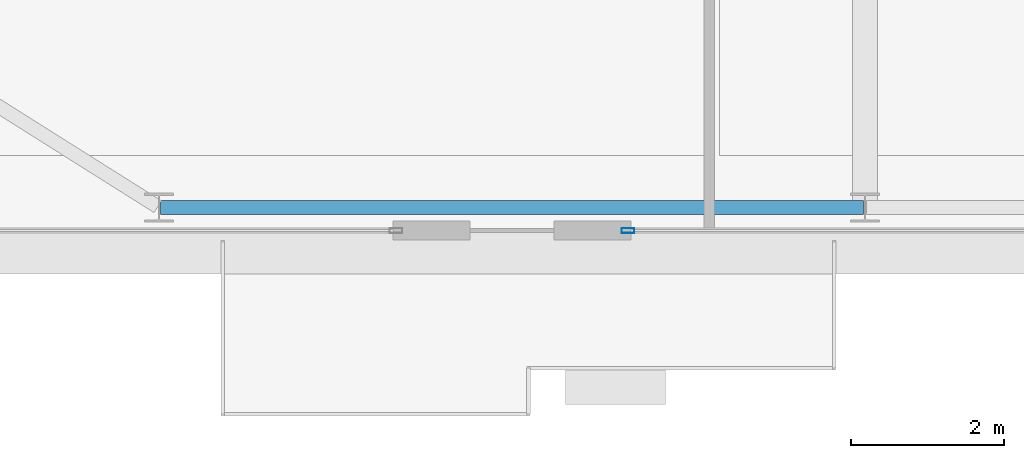
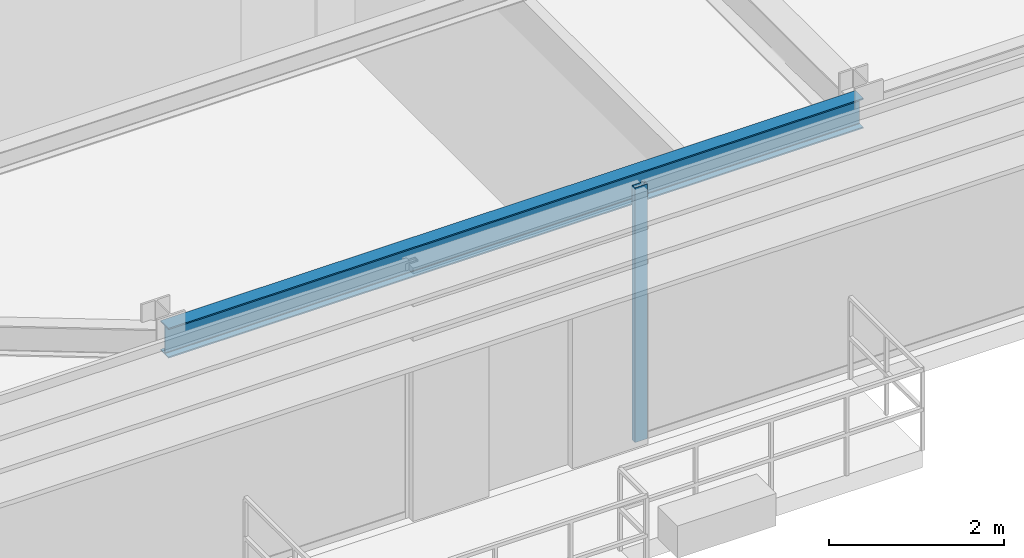
# One storey, part 6 of 31: 1 beam, 1 member, 1 element without a shape of its own.
"""IFC4 building model written with IfcOpenShell, lengths in metres."""

from ifc_helpers import new_model, si_unit, direction, frame, origin, origin_2d, place, context, subcontext, project, spatial, hollow_rectangle, i_section, extrude, source, transform, mapped, material, layer, layer_set, material_profile, profile_set, type_object, type_shapes, element, aggregate, save


model = new_model("IFC4")

# Units and contexts
model_context = context("Model", 3, precision=1e-05, world=origin(), true_north=direction((0.0, 1.0)))
body_context = subcontext(model_context, "Body", "Model", "MODEL_VIEW")
ifc_project = project(units=[si_unit("LENGTHUNIT", "METRE"), si_unit("AREAUNIT", "SQUARE_METRE"), si_unit("VOLUMEUNIT", "CUBIC_METRE"), si_unit("PLANEANGLEUNIT", "RADIAN"), si_unit("MASSUNIT", "GRAM", prefix="KILO")], contexts=[model_context])

# Site, building, storey
site_placement = place(None, origin())
site = spatial("IfcSite", under=ifc_project, at=site_placement, CompositionType="ELEMENT")
building_placement = place(site_placement, origin())
building = spatial("IfcBuilding", under=site, at=building_placement, Name="Varnel Quay Broadcast Tower", CompositionType="ELEMENT")
storey_placement = place(building_placement, frame((0.0, 0.0, 183.800048828125)))
storey = spatial("IfcBuildingStorey", under=building, at=storey_placement, Name="L45", CompositionType="ELEMENT", Elevation=183.800048828125)

# Beam
ifc_material_1 = material(Name="Structural Steel CSA G40.21 350W", Category="steel")
ifc_material_profile_1 = material_profile(ifc_material_1, i_section(OverallWidth=0.180908203125, OverallDepth=0.4169921875, WebThickness=0.010986328125, FlangeThickness=0.018310546875, FilletRadius=0.011962890625, at=origin_2d()), Name="W410X85")
ifc_profile_set_1 = profile_set([ifc_material_profile_1], Name="Structural Steel CSA G40.21 350W")
beam_type = type_object("IfcBeamType", Name="Beam_W410X85", PredefinedType="SPANDREL", material=ifc_profile_set_1)
shared_shape_1 = source(origin(), body_context, "Body", "SweptSolid", [
    extrude(i_section(OverallWidth=0.180908203125, OverallDepth=0.4169921875, WebThickness=0.010986328125, FlangeThickness=0.018310546875, FilletRadius=0.011962890625, at=origin_2d()), origin(), (0.0, 0.0, 1.0), 9.159912109375),
])
type_shapes(beam_type, [shared_shape_1])
beam_placement = place(storey_placement, frame((15.6201171875, 7.64990234375, 3.341552734375), z_axis=(1.0, 0.0, 0.0), x_axis=(0.0, 1.0, 0.0)))
element("IfcBeam", 1, at=beam_placement, inside=storey, type_object=beam_type, Name="L45 South Spandrel TC-S1-TC-S2", PredefinedType="SPANDREL", context=body_context, shape_type="MappedRepresentation", body=[
    mapped(shared_shape_1, transform((0.0, 0.0, 0.0), x_axis=(1.0, 0.0, 0.0), y_axis=(0.0, 1.0, 0.0), z_axis=(0.0, 0.0, 1.0), scale=1.0)),
])

# Curtain wall, member
ifc_material_2 = material(Name="Anodised Bronze Aluminium 6063-T6", Category="aluminium")
ifc_layer = layer(ifc_material_2, 0.18994140625, Name="Anodised Bronze Aluminium 6063-T6")
ifc_layer_set = layer_set([ifc_layer], Name="Anodised Bronze Aluminium 6063-T6")
curtain_wall_type = type_object("IfcCurtainWallType", Name="CW_UpperTower", PredefinedType="NOTDEFINED", material=ifc_layer_set)
curtain_wall_placement = place(storey_placement, origin())
curtain_wall = element("IfcCurtainWall", 2, at=curtain_wall_placement, inside=storey, type_object=curtain_wall_type, Name="L45 South Unitised Curtain Wall 2", PredefinedType="NOTDEFINED")
ifc_material_profile_2 = material_profile(ifc_material_2, hollow_rectangle(XDim=0.06494140625, YDim=0.1650390625, WallThickness=0.00341796875, at=origin_2d()), Name="ALU65X165X3.5")
ifc_profile_set_2 = profile_set([ifc_material_profile_2], Name="Anodised Bronze Aluminium 6063-T6")
member_type = type_object("IfcMemberType", Name="Mull_CWS-03", PredefinedType="MULLION", material=ifc_profile_set_2)
shared_shape_2 = source(origin(), body_context, "Body", "SweptSolid", [
    extrude(hollow_rectangle(XDim=0.06494140625, YDim=0.1650390625, WallThickness=0.00341796875, at=origin_2d()), origin(), (0.0, 0.0, 1.0), 3.550048828125),
])
type_shapes(member_type, [shared_shape_2])
member_placement = place(storey_placement, frame((21.71240234375, 7.35009765625, 0.0), z_axis=(0.0, 0.0, 1.0), x_axis=(0.0, 1.0, 0.0)))
member = element("IfcMember", 3, at=member_placement, type_object=member_type, Name="CWS-03 mullion 1", PredefinedType="MULLION", context=body_context, shape_type="MappedRepresentation", body=[
    mapped(shared_shape_2, transform((0.0, 0.0, 0.0), x_axis=(1.0, 0.0, 0.0), y_axis=(0.0, 1.0, 0.0), z_axis=(0.0, 0.0, 1.0), scale=1.0)),
])
aggregate(curtain_wall, [member])

save(model, "model.ifc")
